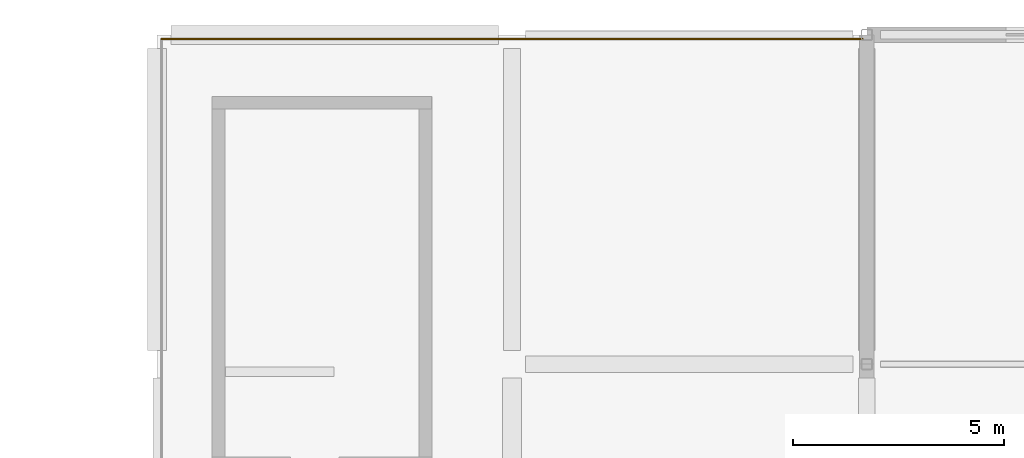
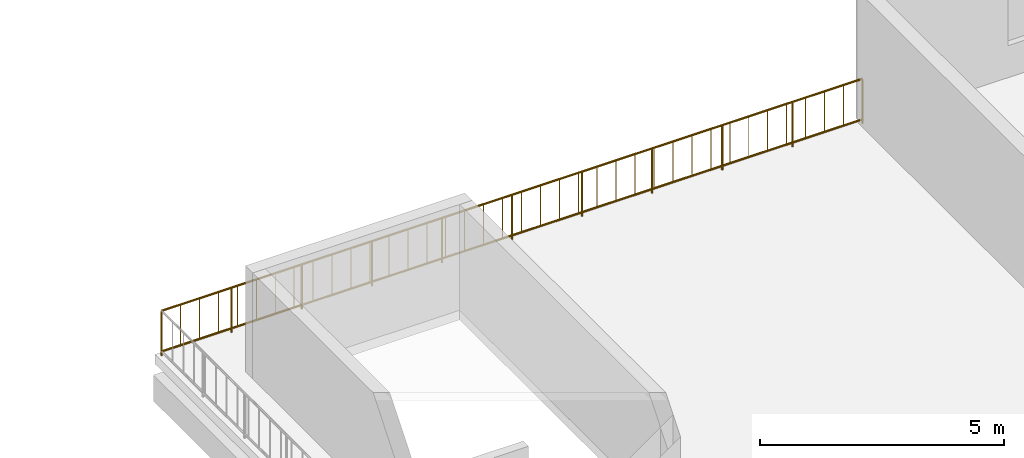
# One storey, part 64 of 64: 1 railing.
"""IFC4 building model written with IfcOpenShell, lengths in metres."""

import ifcopenshell
import ifcopenshell.guid

model = None  # the IFC model being written
_history = None  # IfcOwnerHistory: only IFC2X3 demands one
_inside = {}  # id of a spatial element -> (the spatial element, [elements in it])
_under = {}  # id of a project, library or spatial element -> (it, [spatial elements below it])
_declared = {}  # id of a project -> (the project, [libraries it declares])
_typed = {}  # id of a type object -> (the type object, [elements of that type])
_made_of = {}  # id of a material, layer set ... -> (it, [elements and type objects made of it])


def new_model(schema):
    """Start an empty IFC model of exactly this schema.

    Asked for "IFC4X3", IfcOpenShell would pick the latest addendum, in which some entities
    have other attributes; the version numbers below select the first issue.
    IFC2X3 requires an IfcOwnerHistory on every rooted entity: one is made here for all.
    """
    global model, _history
    if schema == "IFC4X3":
        model = ifcopenshell.file(schema_version=(4, 3, 0, 0))
    else:
        model = ifcopenshell.file(schema=schema)
    _inside.clear()
    _under.clear()
    _declared.clear()
    _typed.clear()
    _made_of.clear()
    _history = None
    if model.schema == "IFC2X3":
        org = make("IfcOrganization", Name="unknown")
        user = make(
            "IfcPersonAndOrganization",
            ThePerson=make("IfcPerson", FamilyName="unknown"),
            TheOrganization=org,
        )
        app = make(
            "IfcApplication",
            ApplicationDeveloper=org,
            Version="unknown",
            ApplicationFullName="unknown",
            ApplicationIdentifier="unknown",
        )
        _history = make(
            "IfcOwnerHistory",
            OwningUser=user,
            OwningApplication=app,
            ChangeAction="ADDED",
            CreationDate=0,
        )
    return model


def make(cls, **values):
    """One entity of the class cls with the attributes given. An attribute that is None is left unset."""
    return model.create_entity(
        cls, **{name: value for name, value in values.items() if value is not None}
    )


def rooted(cls, **values):
    """An entity with a GlobalId (a new one), such as an element, a storey or a relation."""
    return make(cls, GlobalId=ifcopenshell.guid.new(), OwnerHistory=_history, **values)


def si_unit(unit_type, name, prefix=None):
    """IfcSIUnit, for example si_unit("LENGTHUNIT", "METRE", prefix="MILLI")."""
    return make("IfcSIUnit", UnitType=unit_type, Prefix=prefix, Name=name)


def derived_unit(unit_type, elements):
    """IfcDerivedUnit: a product of units, each with its exponent."""
    return make(
        "IfcDerivedUnit",
        Elements=[
            make("IfcDerivedUnitElement", Unit=unit, Exponent=power)
            for unit, power in elements
        ],
        UnitType=unit_type,
    )


def assignment(units):
    """IfcUnitAssignment: the units of a project."""
    return None if units is None else make("IfcUnitAssignment", Units=units)


def point(xyz):
    """IfcCartesianPoint."""
    return None if xyz is None else make("IfcCartesianPoint", Coordinates=xyz)


def direction(xyz):
    """IfcDirection."""
    return None if xyz is None else make("IfcDirection", DirectionRatios=xyz)


def frame(location, z_axis=None, x_axis=None):
    """IfcAxis2Placement3D, a coordinate frame: its origin and axes. An axis left out is left unset."""
    return make(
        "IfcAxis2Placement3D",
        Location=point(location),
        Axis=direction(z_axis),
        RefDirection=direction(x_axis),
    )


def frame_2d(location, x_axis=None):
    """IfcAxis2Placement2D, a coordinate frame in the plane: its origin and x axis."""
    return make(
        "IfcAxis2Placement2D", Location=point(location), RefDirection=direction(x_axis)
    )


def origin():
    """The frame at (0, 0, 0) with its axes left unset."""
    return frame((0.0, 0.0, 0.0))


def origin_2d():
    """The frame at (0, 0) in the plane with its x axis left unset."""
    return frame_2d((0.0, 0.0))


def place(relative_to, where):
    """IfcLocalPlacement: puts the frame where relative to a parent placement (None: the world)."""
    return make(
        "IfcLocalPlacement", PlacementRelTo=relative_to, RelativePlacement=where
    )


def context(
    kind, dimensions, precision=None, world=None, true_north=None, identifier=None
):
    """IfcGeometricRepresentationContext, for example the 3D "Model" context."""
    return make(
        "IfcGeometricRepresentationContext",
        ContextIdentifier=identifier,
        ContextType=kind,
        CoordinateSpaceDimension=dimensions,
        Precision=precision,
        WorldCoordinateSystem=world,
        TrueNorth=true_north,
    )


def subcontext(parent, identifier, kind, view, scale=None):
    """IfcGeometricRepresentationSubContext, for example "Body" below "Model"."""
    return make(
        "IfcGeometricRepresentationSubContext",
        ContextIdentifier=identifier,
        ContextType=kind,
        ParentContext=parent,
        TargetScale=scale,
        TargetView=view,
    )


def project(units=None, contexts=None):
    """IfcProject with its units and contexts."""
    return rooted(
        "IfcProject",
        Name="project",
        RepresentationContexts=contexts,
        UnitsInContext=assignment(units),
    )


def spatial(cls, under=None, at=None, **own):
    """A site, building, storey or space (cls), placed at a placement, below another one or the project."""
    s = rooted(cls, ObjectPlacement=at, **own)
    if under is not None:
        _under.setdefault(under.id(), (under, []))[1].append(s)
    return s


def profile(cls, at=None, kind="AREA", **sizes):
    """A parametric profile (cls). Its sizes go by their IFC names, for example OverallWidth=200.0."""
    return make(cls, ProfileType=kind, Position=at, **sizes)


def circle(**sizes):
    """IfcCircleProfileDef."""
    return profile("IfcCircleProfileDef", **sizes)


def extrude(swept, where, along, depth):
    """IfcExtrudedAreaSolid: the profile swept, set in the frame where, extruded along a direction by depth."""
    return make(
        "IfcExtrudedAreaSolid",
        SweptArea=swept,
        Position=where,
        ExtrudedDirection=direction(along),
        Depth=depth,
    )


def shape(context_of_items, identifier, shape_type, items):
    """IfcShapeRepresentation: the items that make up one representation, for example the "Body"."""
    return make(
        "IfcShapeRepresentation",
        ContextOfItems=context_of_items,
        RepresentationIdentifier=identifier,
        RepresentationType=shape_type,
        Items=items,
    )


def material(Name=None, Category=None):
    """IfcMaterial."""
    return make("IfcMaterial", Name=Name, Category=Category)


def layer(
    of_material, thickness, ventilated=None, Name=None, Category=None, Priority=None
):
    """IfcMaterialLayer: one layer of a wall or slab, of a material (None: an air gap)."""
    return make(
        "IfcMaterialLayer",
        Material=of_material,
        LayerThickness=thickness,
        IsVentilated=ventilated,
        Name=Name,
        Category=Category,
        Priority=Priority,
    )


def layer_set(layers, Name=None):
    """IfcMaterialLayerSet."""
    return make("IfcMaterialLayerSet", MaterialLayers=layers, LayerSetName=Name)


def made_of(thing, what):
    """Note that an element or type object is made of a material, layer set ...; save() writes the relation."""
    if what is not None:
        _made_of.setdefault(what.id(), (what, []))[1].append(thing)
    return thing


def type_object(cls, material=None, **own):
    """A type object (cls), such as IfcWallType, which elements share."""
    return made_of(rooted(cls, **own), material)


def element(
    cls,
    number,
    at=None,
    inside=None,
    cuts=None,
    type_object=None,
    material=None,
    context=None,
    identifier="Body",
    shape_type=None,
    held_by="IfcProductDefinitionShape",
    body=None,
    shapes=None,
    **own,
):
    """One element of the class cls, such as IfcWall. Its Tag is "e" and its number.

    at: its placement. inside: the storey or other place that contains it. cuts: it is an
    opening in that element (IfcRelVoidsElement). A single representation is given by context,
    identifier, shape_type and body (its items); several are given by shapes. held_by: the class
    of the entity that holds the representations. save() writes the other relations.
    """
    e = rooted(cls, Tag="e%d" % number, ObjectPlacement=at, **own)
    if body is not None:
        shapes = [shape(context, identifier, shape_type, body)]
    if shapes is not None:
        e.Representation = make(held_by, Representations=shapes)
    if inside is not None:
        _inside.setdefault(inside.id(), (inside, []))[1].append(e)
    if cuts is not None:
        rooted(
            "IfcRelVoidsElement", RelatingBuildingElement=cuts, RelatedOpeningElement=e
        )
    if type_object is not None:
        _typed.setdefault(type_object.id(), (type_object, []))[1].append(e)
    return made_of(e, material)


def aggregate(whole, parts):
    """IfcRelAggregates: a whole, such as a stair, and the parts it consists of."""
    return rooted("IfcRelAggregates", RelatingObject=whole, RelatedObjects=parts)


def save(model, path):
    """Write the relations noted so far, then the file.

    IfcRelAggregates (storeys below a building ...), IfcRelContainedInSpatialStructure (elements
    in a storey), IfcRelDefinesByType, IfcRelAssociatesMaterial and IfcRelDeclares: one each for
    every whole, place, type object, material and project.
    """
    for whole, parts in _under.values():
        aggregate(whole, parts)
    for where, things in _inside.values():
        rooted(
            "IfcRelContainedInSpatialStructure",
            RelatedElements=things,
            RelatingStructure=where,
        )
    for kind, things in _typed.values():
        rooted("IfcRelDefinesByType", RelatedObjects=things, RelatingType=kind)
    for what, things in _made_of.values():
        rooted("IfcRelAssociatesMaterial", RelatedObjects=things, RelatingMaterial=what)
    for by, libraries in _declared.values():
        rooted("IfcRelDeclares", RelatingContext=by, RelatedDefinitions=libraries)
    model.write(path)


model = new_model("IFC4")

# Units and contexts
model_context = context("Model", 3, precision=1e-05, world=origin(), true_north=direction((0.0, 1.0)))
body_context = subcontext(model_context, "Body", "Model", "MODEL_VIEW")
ifc_project = project(units=[si_unit("LENGTHUNIT", "METRE"), si_unit("AREAUNIT", "SQUARE_METRE"), si_unit("VOLUMEUNIT", "CUBIC_METRE"), si_unit("PLANEANGLEUNIT", "RADIAN"), si_unit("MASSUNIT", "GRAM", prefix="KILO"), derived_unit("THERMALTRANSMITTANCEUNIT", [(si_unit("POWERUNIT", "WATT"), 1), (si_unit("LENGTHUNIT", "METRE"), -2), (si_unit("THERMODYNAMICTEMPERATUREUNIT", "KELVIN"), -1)])], contexts=[model_context])

# Site, building, storey
site_placement = place(None, origin())
site = spatial("IfcSite", under=ifc_project, at=site_placement, CompositionType="ELEMENT")
building_placement = place(site_placement, origin())
building = spatial("IfcBuilding", under=site, at=building_placement, Name="Barrovel Congress Hotel", CompositionType="ELEMENT")
storey_placement = place(building_placement, frame((0.0, 0.0, 14.10009765625)))
storey = spatial("IfcBuildingStorey", under=building, at=storey_placement, Name="L03", CompositionType="ELEMENT", Elevation=14.10009765625)

# Railing
ifc_material = material(Name="Painted Architectural Steel", Category="steel")
ifc_layer = layer(ifc_material, 0.080078125)
ifc_layer_set = layer_set([ifc_layer], Name="Painted Architectural Steel")
railing_type = type_object("IfcRailingType", Name="RAIL-GUARD-EXT", PredefinedType="BALUSTRADE", material=ifc_layer_set)
railing_placement = place(storey_placement, frame((126.10009765625, 112.699951171875, 0.0)))
element("IfcRailing", 1, at=railing_placement, inside=storey, type_object=railing_type, Name="Spa Roof Terrace Guardrail 4", PredefinedType="BALUSTRADE", context=body_context, shape_type="SweptSolid", body=[
    extrude(circle(Radius=0.02392578125, at=origin_2d()), frame((0.0, 0.0, 1.11572265625), z_axis=(1.0, 0.0, 0.0), x_axis=(0.0, 1.0, 0.0)), (0.0, 0.0, 1.0), 16.599853515625),
    extrude(circle(Radius=0.02392578125, at=origin_2d()), frame((0.0, 0.0, 0.10009765625), z_axis=(1.0, 0.0, 0.0), x_axis=(0.0, 1.0, 0.0)), (0.0, 0.0, 1.0), 16.599853515625),
    extrude(circle(Radius=0.010009765625, at=origin_2d()), frame((0.44873046875, 0.0, 0.10009765625)), (0.0, 0.0, 1.0), 0.99169921875),
    extrude(circle(Radius=0.010009765625, at=origin_2d()), frame((0.897216796875, 0.0, 0.10009765625)), (0.0, 0.0, 1.0), 0.99169921875),
    extrude(circle(Radius=0.010009765625, at=origin_2d()), frame((1.345947265625, 0.0, 0.10009765625)), (0.0, 0.0, 1.0), 0.99169921875),
    extrude(circle(Radius=0.010009765625, at=origin_2d()), frame((1.794677734375, 0.0, 0.10009765625)), (0.0, 0.0, 1.0), 0.99169921875),
    extrude(circle(Radius=0.010009765625, at=origin_2d()), frame((2.2431640625, 0.0, 0.10009765625)), (0.0, 0.0, 1.0), 0.99169921875),
    extrude(circle(Radius=0.010009765625, at=origin_2d()), frame((2.69189453125, 0.0, 0.10009765625)), (0.0, 0.0, 1.0), 0.99169921875),
    extrude(circle(Radius=0.010009765625, at=origin_2d()), frame((3.140625, 0.0, 0.10009765625)), (0.0, 0.0, 1.0), 0.99169921875),
    extrude(circle(Radius=0.010009765625, at=origin_2d()), frame((3.589111328125, 0.0, 0.10009765625)), (0.0, 0.0, 1.0), 0.99169921875),
    extrude(circle(Radius=0.010009765625, at=origin_2d()), frame((4.037841796875, 0.0, 0.10009765625)), (0.0, 0.0, 1.0), 0.99169921875),
    extrude(circle(Radius=0.010009765625, at=origin_2d()), frame((4.486328125, 0.0, 0.10009765625)), (0.0, 0.0, 1.0), 0.99169921875),
    extrude(circle(Radius=0.010009765625, at=origin_2d()), frame((4.93505859375, 0.0, 0.10009765625)), (0.0, 0.0, 1.0), 0.99169921875),
    extrude(circle(Radius=0.010009765625, at=origin_2d()), frame((5.3837890625, 0.0, 0.10009765625)), (0.0, 0.0, 1.0), 0.99169921875),
    extrude(circle(Radius=0.010009765625, at=origin_2d()), frame((5.832275390625, 0.0, 0.10009765625)), (0.0, 0.0, 1.0), 0.99169921875),
    extrude(circle(Radius=0.010009765625, at=origin_2d()), frame((6.281005859375, 0.0, 0.10009765625)), (0.0, 0.0, 1.0), 0.99169921875),
    extrude(circle(Radius=0.010009765625, at=origin_2d()), frame((6.729736328125, 0.0, 0.10009765625)), (0.0, 0.0, 1.0), 0.99169921875),
    extrude(circle(Radius=0.010009765625, at=origin_2d()), frame((7.17822265625, 0.0, 0.10009765625)), (0.0, 0.0, 1.0), 0.99169921875),
    extrude(circle(Radius=0.010009765625, at=origin_2d()), frame((7.626953125, 0.0, 0.10009765625)), (0.0, 0.0, 1.0), 0.99169921875),
    extrude(circle(Radius=0.010009765625, at=origin_2d()), frame((8.07568359375, 0.0, 0.10009765625)), (0.0, 0.0, 1.0), 0.99169921875),
    extrude(circle(Radius=0.010009765625, at=origin_2d()), frame((8.524169921875, 0.0, 0.10009765625)), (0.0, 0.0, 1.0), 0.99169921875),
    extrude(circle(Radius=0.010009765625, at=origin_2d()), frame((8.972900390625, 0.0, 0.10009765625)), (0.0, 0.0, 1.0), 0.99169921875),
    extrude(circle(Radius=0.010009765625, at=origin_2d()), frame((9.421630859375, 0.0, 0.10009765625)), (0.0, 0.0, 1.0), 0.99169921875),
    extrude(circle(Radius=0.010009765625, at=origin_2d()), frame((9.8701171875, 0.0, 0.10009765625)), (0.0, 0.0, 1.0), 0.99169921875),
    extrude(circle(Radius=0.010009765625, at=origin_2d()), frame((10.31884765625, 0.0, 0.10009765625)), (0.0, 0.0, 1.0), 0.99169921875),
    extrude(circle(Radius=0.010009765625, at=origin_2d()), frame((10.767578125, 0.0, 0.10009765625)), (0.0, 0.0, 1.0), 0.99169921875),
    extrude(circle(Radius=0.010009765625, at=origin_2d()), frame((11.216064453125, 0.0, 0.10009765625)), (0.0, 0.0, 1.0), 0.99169921875),
    extrude(circle(Radius=0.010009765625, at=origin_2d()), frame((11.664794921875, 0.0, 0.10009765625)), (0.0, 0.0, 1.0), 0.99169921875),
    extrude(circle(Radius=0.010009765625, at=origin_2d()), frame((12.113525390625, 0.0, 0.10009765625)), (0.0, 0.0, 1.0), 0.99169921875),
    extrude(circle(Radius=0.010009765625, at=origin_2d()), frame((12.56201171875, 0.0, 0.10009765625)), (0.0, 0.0, 1.0), 0.99169921875),
    extrude(circle(Radius=0.010009765625, at=origin_2d()), frame((13.0107421875, 0.0, 0.10009765625)), (0.0, 0.0, 1.0), 0.99169921875),
    extrude(circle(Radius=0.010009765625, at=origin_2d()), frame((13.459228515625, 0.0, 0.10009765625)), (0.0, 0.0, 1.0), 0.99169921875),
    extrude(circle(Radius=0.010009765625, at=origin_2d()), frame((13.907958984375, 0.0, 0.10009765625)), (0.0, 0.0, 1.0), 0.99169921875),
    extrude(circle(Radius=0.010009765625, at=origin_2d()), frame((14.356689453125, 0.0, 0.10009765625)), (0.0, 0.0, 1.0), 0.99169921875),
    extrude(circle(Radius=0.010009765625, at=origin_2d()), frame((14.80517578125, 0.0, 0.10009765625)), (0.0, 0.0, 1.0), 0.99169921875),
    extrude(circle(Radius=0.010009765625, at=origin_2d()), frame((15.25390625, 0.0, 0.10009765625)), (0.0, 0.0, 1.0), 0.99169921875),
    extrude(circle(Radius=0.010009765625, at=origin_2d()), frame((15.70263671875, 0.0, 0.10009765625)), (0.0, 0.0, 1.0), 0.99169921875),
    extrude(circle(Radius=0.010009765625, at=origin_2d()), frame((16.151123046875, 0.0, 0.10009765625)), (0.0, 0.0, 1.0), 0.99169921875),
    extrude(circle(Radius=0.02099609375, at=origin_2d()), origin(), (0.0, 0.0, 1.0), 1.091796875),
    extrude(circle(Radius=0.02099609375, at=origin_2d()), frame((1.659912109375, 0.0, 0.0)), (0.0, 0.0, 1.0), 1.091796875),
    extrude(circle(Radius=0.02099609375, at=origin_2d()), frame((3.320068359375, 0.0, 0.0)), (0.0, 0.0, 1.0), 1.091796875),
    extrude(circle(Radius=0.02099609375, at=origin_2d()), frame((4.97998046875, 0.0, 0.0)), (0.0, 0.0, 1.0), 1.091796875),
    extrude(circle(Radius=0.02099609375, at=origin_2d()), frame((6.639892578125, 0.0, 0.0)), (0.0, 0.0, 1.0), 1.091796875),
    extrude(circle(Radius=0.02099609375, at=origin_2d()), frame((8.2998046875, 0.0, 0.0)), (0.0, 0.0, 1.0), 1.091796875),
    extrude(circle(Radius=0.02099609375, at=origin_2d()), frame((9.9599609375, 0.0, 0.0)), (0.0, 0.0, 1.0), 1.091796875),
    extrude(circle(Radius=0.02099609375, at=origin_2d()), frame((11.619873046875, 0.0, 0.0)), (0.0, 0.0, 1.0), 1.091796875),
    extrude(circle(Radius=0.02099609375, at=origin_2d()), frame((13.27978515625, 0.0, 0.0)), (0.0, 0.0, 1.0), 1.091796875),
    extrude(circle(Radius=0.02099609375, at=origin_2d()), frame((14.93994140625, 0.0, 0.0)), (0.0, 0.0, 1.0), 1.091796875),
    extrude(circle(Radius=0.02099609375, at=origin_2d()), frame((16.599853515625, 0.0, 0.0)), (0.0, 0.0, 1.0), 1.091796875),
])

save(model, "model.ifc")
